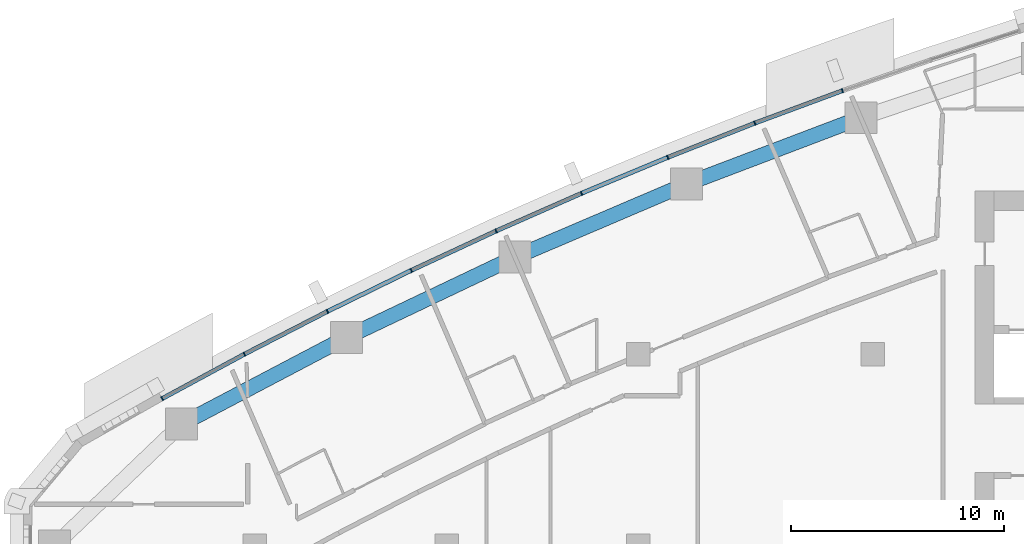
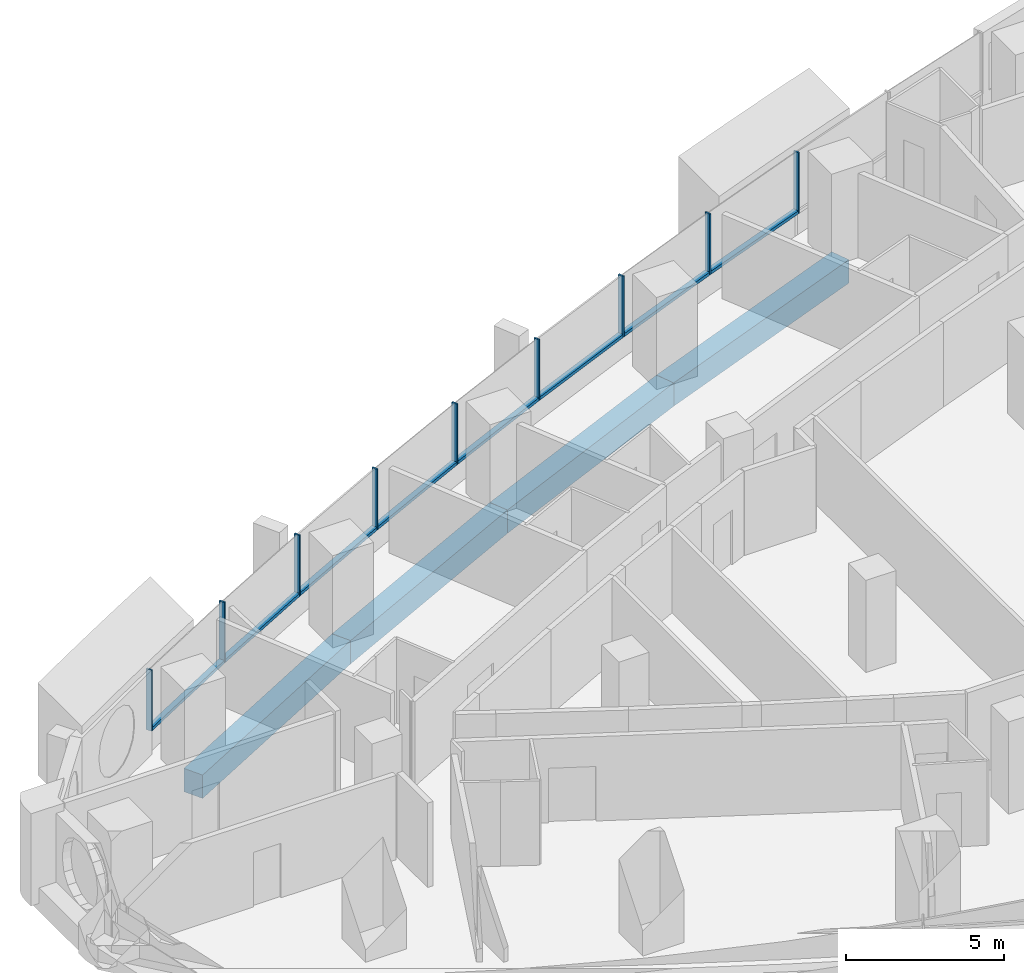
# One storey, part 5 of 16: 17 members, 4 beams, 5 elements without a shape of their own.
"""IFC4 building model written with IfcOpenShell, lengths in metres."""

from ifc_helpers import new_model, si_unit, direction, frame, origin, origin_2d, place, context, subcontext, project, spatial, rectangle, extrude, material, layer, layer_set, material_profile, profile_set, type_object, element, aggregate, save


model = new_model("IFC4")

# Units and contexts
model_context = context("Model", 3, precision=1e-05, world=origin(), true_north=direction((0.0, 1.0)))
body_context = subcontext(model_context, "Body", "Model", "MODEL_VIEW")
ifc_project = project(units=[si_unit("LENGTHUNIT", "METRE"), si_unit("AREAUNIT", "SQUARE_METRE"), si_unit("VOLUMEUNIT", "CUBIC_METRE"), si_unit("PLANEANGLEUNIT", "RADIAN"), si_unit("MASSUNIT", "GRAM", prefix="KILO")], contexts=[model_context])

# Site, building, storey
site_placement = place(None, origin())
site = spatial("IfcSite", under=ifc_project, at=site_placement, CompositionType="ELEMENT")
building_placement = place(site_placement, origin())
building = spatial("IfcBuilding", under=site, at=building_placement, Name="Ostrand Prow Hotel Tower", CompositionType="ELEMENT")
storey_placement = place(building_placement, frame((0.0, 0.0, 147.949951171875)))
storey = spatial("IfcBuildingStorey", under=building, at=storey_placement, Name="L36", CompositionType="ELEMENT", Elevation=147.949951171875)

# Beams
ifc_material_1 = material(Name="Concrete C70/85", Category="concrete")
ifc_material_profile_1 = material_profile(ifc_material_1, rectangle(XDim=0.699951171875, YDim=0.89990234375, at=origin_2d()), Name="RC 700x900")
ifc_profile_set_1 = profile_set([ifc_material_profile_1], Name="Concrete C70/85")
beam_type = type_object("IfcBeamType", Name="Edge beam 700x900 C70/85", PredefinedType="SPANDREL", material=ifc_profile_set_1)
for number, where, z_axis, x_axis, name in (
    (1, (44.438232421875, 20.093017578125, -0.75), (-0.93479358236, -0.355191439055, 0.0), (0.355191439055, -0.93479358236, 0.0), "Edge beam N2-N3"),
    (2, (36.255615234375, 16.98388671875, -0.75), (-0.919700966994, -0.392619575811, 0.0), (0.392619575811, -0.919700966994, 0.0), "Edge beam N3-N4"),
    (3, (28.205078125, 13.547119140625, -0.75), (-0.903083113352, -0.429465819803, 0.0), (0.429465819803, -0.903083113352, 0.0), "Edge beam N4-N5"),
    (4, (20.300048828125, 9.787841796875, -0.75), (-0.885016215308, -0.465560198731, 0.0), (0.465560198731, -0.885016215308, 0.0), "Edge beam N5-N6"),
):
    element("IfcBeam", number, at=place(storey_placement, frame(where, z_axis=z_axis, x_axis=x_axis)), inside=storey, type_object=beam_type, Name=name, PredefinedType="SPANDREL", context=body_context, shape_type="SweptSolid", body=[
        extrude(rectangle(XDim=0.699951171875, YDim=0.89990234375, at=origin_2d()), origin(), (0.0, 0.0, 1.0), 8.75341796875),
    ])

# Curtain wall, member
ifc_material_2 = material(Name="Insulated glass in bronze anodised frame", Category="glass")
ifc_layer = layer(ifc_material_2, 0.199951171875)
ifc_layer_set = layer_set([ifc_layer], Name="Insulated glass in bronze anodised frame")
curtain_wall_type = type_object("IfcCurtainWallType", Name="Strip curtain wall, fritted glass over bronze spandrel", PredefinedType="NOTDEFINED", material=ifc_layer_set)
curtain_wall_1_placement = place(storey_placement, origin())
curtain_wall_1 = element("IfcCurtainWall", 5, at=curtain_wall_1_placement, inside=storey, type_object=curtain_wall_type, Name="CW1 run CWN1", PredefinedType="NOTDEFINED")
ifc_material_3 = material(Name="Bronze anodised aluminium", Category="aluminium")
ifc_material_profile_2 = material_profile(ifc_material_3, rectangle(XDim=0.199951171875, YDim=0.06005859375, at=origin_2d()), Name="Mullion 60x200 bronze anodised aluminium")
ifc_profile_set_2 = profile_set([ifc_material_profile_2], Name="Bronze anodised aluminium")
member_type_1 = type_object("IfcMemberType", Name="Mullion 60x200 bronze anodised aluminium", PredefinedType="MULLION", material=ifc_profile_set_2)
member_1_placement = place(storey_placement, frame((43.5751953125, 21.3642578125, 0.900146484375), z_axis=(0.0, 0.0, 1.0), x_axis=(0.328428177424, -0.944528947293, 0.0)))
member_1 = element("IfcMember", 6, at=member_1_placement, type_object=member_type_1, Name="CW1 mullion 3", PredefinedType="MULLION", context=body_context, shape_type="SweptSolid", body=[
    extrude(rectangle(XDim=0.199951171875, YDim=0.06005859375, at=origin_2d()), origin(), (0.0, 0.0, 1.0), 2.349853515625),
])
aggregate(curtain_wall_1, [member_1])

# Curtain wall, members
curtain_wall_2_placement = place(storey_placement, origin())
curtain_wall_2 = element("IfcCurtainWall", 7, at=curtain_wall_2_placement, inside=storey, type_object=curtain_wall_type, Name="CW1 run CWN2", PredefinedType="NOTDEFINED")
member_2_placement = place(storey_placement, frame((39.462158203125, 19.8408203125, 0.900146484375), z_axis=(0.0, 0.0, 1.0), x_axis=(0.366116334636, -0.930569089059, 0.0)))
member_2 = element("IfcMember", 8, at=member_2_placement, type_object=member_type_1, Name="CW1 mullion 2", PredefinedType="MULLION", context=body_context, shape_type="SweptSolid", body=[
    extrude(rectangle(XDim=0.199951171875, YDim=0.06005859375, at=origin_2d()), origin(), (0.0, 0.0, 1.0), 2.349853515625),
])
member_3_placement = place(storey_placement, frame((35.380615234375, 18.235107421875, 0.900146484375), z_axis=(0.0, 0.0, 1.0), x_axis=(0.366116334636, -0.930569089059, 0.0)))
member_3 = element("IfcMember", 9, at=member_3_placement, type_object=member_type_1, Name="CW1 mullion 3", PredefinedType="MULLION", context=body_context, shape_type="SweptSolid", body=[
    extrude(rectangle(XDim=0.199951171875, YDim=0.06005859375, at=origin_2d()), origin(), (0.0, 0.0, 1.0), 2.349853515625),
])

curtain_wall_3_placement = place(storey_placement, origin())
curtain_wall_3 = element("IfcCurtainWall", 10, at=curtain_wall_3_placement, inside=storey, type_object=curtain_wall_type, Name="CW1 run CWN3", PredefinedType="NOTDEFINED")
member_4_placement = place(storey_placement, frame((31.332275390625, 16.54736328125, 0.900146484375), z_axis=(0.0, 0.0, 1.0), x_axis=(0.403213113347, -0.915106105993, 0.0)))
member_4 = element("IfcMember", 11, at=member_4_placement, type_object=member_type_1, Name="CW1 mullion 2", PredefinedType="MULLION", context=body_context, shape_type="SweptSolid", body=[
    extrude(rectangle(XDim=0.199951171875, YDim=0.06005859375, at=origin_2d()), origin(), (0.0, 0.0, 1.0), 2.349853515625),
])
member_5_placement = place(storey_placement, frame((27.318359375, 14.77880859375, 0.900146484375), z_axis=(0.0, 0.0, 1.0), x_axis=(0.403213113347, -0.915106105993, 0.0)))
member_5 = element("IfcMember", 12, at=member_5_placement, type_object=member_type_1, Name="CW1 mullion 3", PredefinedType="MULLION", context=body_context, shape_type="SweptSolid", body=[
    extrude(rectangle(XDim=0.199951171875, YDim=0.06005859375, at=origin_2d()), origin(), (0.0, 0.0, 1.0), 2.349853515625),
])

curtain_wall_4_placement = place(storey_placement, origin())
curtain_wall_4 = element("IfcCurtainWall", 13, at=curtain_wall_4_placement, inside=storey, type_object=curtain_wall_type, Name="CW1 run CWN4", PredefinedType="NOTDEFINED")
member_6_placement = place(storey_placement, frame((23.341064453125, 12.93017578125, 0.900146484375), z_axis=(0.0, 0.0, 1.0), x_axis=(0.439658592061, -0.898164975061, 0.0)))
member_6 = element("IfcMember", 14, at=member_6_placement, type_object=member_type_1, Name="CW1 mullion 2", PredefinedType="MULLION", context=body_context, shape_type="SweptSolid", body=[
    extrude(rectangle(XDim=0.199951171875, YDim=0.06005859375, at=origin_2d()), origin(), (0.0, 0.0, 1.0), 2.349853515625),
])
member_7_placement = place(storey_placement, frame((19.401611328125, 11.001708984375, 0.900146484375), z_axis=(0.0, 0.0, 1.0), x_axis=(0.439658592061, -0.898164975061, 0.0)))
member_7 = element("IfcMember", 15, at=member_7_placement, type_object=member_type_1, Name="CW1 mullion 3", PredefinedType="MULLION", context=body_context, shape_type="SweptSolid", body=[
    extrude(rectangle(XDim=0.199951171875, YDim=0.06005859375, at=origin_2d()), origin(), (0.0, 0.0, 1.0), 2.349853515625),
])

curtain_wall_5_placement = place(storey_placement, origin())
curtain_wall_5 = element("IfcCurtainWall", 16, at=curtain_wall_5_placement, inside=storey, type_object=curtain_wall_type, Name="CW1 run CWN5", PredefinedType="NOTDEFINED")
member_8_placement = place(storey_placement, frame((15.501708984375, 8.99462890625, 0.900146484375), z_axis=(0.0, 0.0, 1.0), x_axis=(0.475393901316, -0.879773060847, 0.0)))
member_8 = element("IfcMember", 17, at=member_8_placement, type_object=member_type_1, Name="CW1 mullion 2", PredefinedType="MULLION", context=body_context, shape_type="SweptSolid", body=[
    extrude(rectangle(XDim=0.199951171875, YDim=0.06005859375, at=origin_2d()), origin(), (0.0, 0.0, 1.0), 2.349853515625),
])
member_9_placement = place(storey_placement, frame((11.64306640625, 6.909423828125, 0.900146484375), z_axis=(0.0, 0.0, 1.0), x_axis=(0.475393901316, -0.879773060847, 0.0)))
member_9 = element("IfcMember", 18, at=member_9_placement, type_object=member_type_1, Name="CW1 mullion 3", PredefinedType="MULLION", context=body_context, shape_type="SweptSolid", body=[
    extrude(rectangle(XDim=0.199951171875, YDim=0.06005859375, at=origin_2d()), origin(), (0.0, 0.0, 1.0), 2.349853515625),
])

# Member
ifc_material_4 = material(Name="Bronze anodised aluminium", Category="aluminium")
ifc_material_profile_3 = material_profile(ifc_material_4, rectangle(XDim=0.199951171875, YDim=0.1201171875, at=origin_2d()), Name="Transom 120x200 bronze anodised aluminium")
ifc_profile_set_3 = profile_set([ifc_material_profile_3], Name="Bronze anodised aluminium")
member_type_2 = type_object("IfcMemberType", Name="Transom 120x200 bronze anodised aluminium", PredefinedType="USERDEFINED", material=ifc_profile_set_3)
member_10_placement = place(storey_placement, frame((43.547119140625, 21.353759765625, 0.9599609375), z_axis=(-0.937756929379, -0.347292299657, 0.0), x_axis=(0.347292299657, -0.937756929379, 0.0)))
member_10 = element("IfcMember", 19, at=member_10_placement, type_object=member_type_2, Name="CW1 transom 1.1", ObjectType="TRANSOM", PredefinedType="USERDEFINED", context=body_context, shape_type="SweptSolid", body=[
    extrude(rectangle(XDim=0.199951171875, YDim=0.1201171875, at=origin_2d()), origin(), (0.0, 0.0, 1.0), 4.326171875),
])

member_11_placement = place(storey_placement, frame((39.434326171875, 19.829833984375, 0.9599609375), z_axis=(-0.930563430162, -0.366130717701, 0.0), x_axis=(0.366130717701, -0.930563430162, 0.0)))
member_11 = element("IfcMember", 20, at=member_11_placement, type_object=member_type_2, Name="CW1 transom 2.1", ObjectType="TRANSOM", PredefinedType="USERDEFINED", context=body_context, shape_type="SweptSolid", body=[
    extrude(rectangle(XDim=0.199951171875, YDim=0.1201171875, at=origin_2d()), origin(), (0.0, 0.0, 1.0), 4.326171875),
])

aggregate(curtain_wall_2, [member_2, member_3, member_10, member_11])

member_12_placement = place(storey_placement, frame((35.352783203125, 18.223388671875, 0.9599609375), z_axis=(-0.923028493412, -0.384731595206, 0.0), x_axis=(0.384731595206, -0.923028493412, 0.0)))
member_12 = element("IfcMember", 21, at=member_12_placement, type_object=member_type_2, Name="CW1 transom 1.1", ObjectType="TRANSOM", PredefinedType="USERDEFINED", context=body_context, shape_type="SweptSolid", body=[
    extrude(rectangle(XDim=0.199951171875, YDim=0.1201171875, at=origin_2d()), origin(), (0.0, 0.0, 1.0), 4.325927734375),
])

member_13_placement = place(storey_placement, frame((31.3046875, 16.535400390625, 0.9599609375), z_axis=(-0.91509853977, -0.403230284715, 0.0), x_axis=(0.403230284715, -0.91509853977, 0.0)))
member_13 = element("IfcMember", 22, at=member_13_placement, type_object=member_type_2, Name="CW1 transom 2.1", ObjectType="TRANSOM", PredefinedType="USERDEFINED", context=body_context, shape_type="SweptSolid", body=[
    extrude(rectangle(XDim=0.199951171875, YDim=0.1201171875, at=origin_2d()), origin(), (0.0, 0.0, 1.0), 4.325927734375),
])

aggregate(curtain_wall_3, [member_4, member_5, member_12, member_13])

member_14_placement = place(storey_placement, frame((27.291259765625, 14.766357421875, 0.9599609375), z_axis=(-0.906796377468, -0.421568890944, 0.0), x_axis=(0.421568890944, -0.906796377468, 0.0)))
member_14 = element("IfcMember", 23, at=member_14_placement, type_object=member_type_2, Name="CW1 transom 1.1", ObjectType="TRANSOM", PredefinedType="USERDEFINED", context=body_context, shape_type="SweptSolid", body=[
    extrude(rectangle(XDim=0.199951171875, YDim=0.1201171875, at=origin_2d()), origin(), (0.0, 0.0, 1.0), 4.326171875),
])

member_15_placement = place(storey_placement, frame((23.314208984375, 12.9169921875, 0.9599609375), z_axis=(-0.89815413626, -0.439680733623, 0.0), x_axis=(0.439680733623, -0.89815413626, 0.0)))
member_15 = element("IfcMember", 24, at=member_15_placement, type_object=member_type_2, Name="CW1 transom 2.1", ObjectType="TRANSOM", PredefinedType="USERDEFINED", context=body_context, shape_type="SweptSolid", body=[
    extrude(rectangle(XDim=0.199951171875, YDim=0.1201171875, at=origin_2d()), origin(), (0.0, 0.0, 1.0), 4.326171875),
])

aggregate(curtain_wall_4, [member_6, member_7, member_14, member_15])

member_16_placement = place(storey_placement, frame((19.375, 10.988037109375, 0.9599609375), z_axis=(-0.88914020052, -0.457634902318, 0.0), x_axis=(0.457634902318, -0.88914020052, 0.0)))
member_16 = element("IfcMember", 25, at=member_16_placement, type_object=member_type_2, Name="CW1 transom 1.1", ObjectType="TRANSOM", PredefinedType="USERDEFINED", context=body_context, shape_type="SweptSolid", body=[
    extrude(rectangle(XDim=0.199951171875, YDim=0.1201171875, at=origin_2d()), origin(), (0.0, 0.0, 1.0), 4.325927734375),
])

member_17_placement = place(storey_placement, frame((15.475341796875, 8.980224609375, 0.9599609375), z_axis=(-0.879765206929, -0.475408435639, 0.0), x_axis=(0.475408435639, -0.879765206929, 0.0)))
member_17 = element("IfcMember", 26, at=member_17_placement, type_object=member_type_2, Name="CW1 transom 2.1", ObjectType="TRANSOM", PredefinedType="USERDEFINED", context=body_context, shape_type="SweptSolid", body=[
    extrude(rectangle(XDim=0.199951171875, YDim=0.1201171875, at=origin_2d()), origin(), (0.0, 0.0, 1.0), 4.326171875),
])

aggregate(curtain_wall_5, [member_8, member_9, member_16, member_17])

save(model, "model.ifc")
